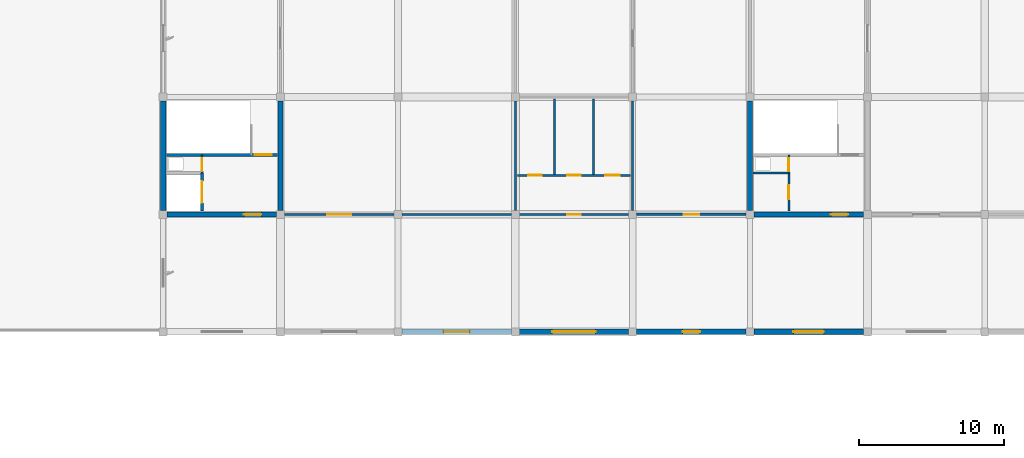
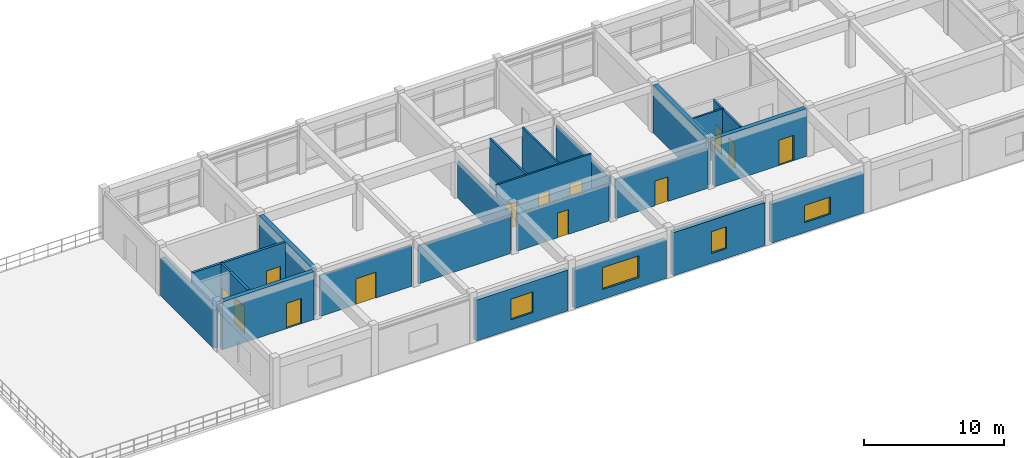
# One storey, part 25 of 40: 24 walls, 13 doors, 4 windows, 17 openings.
"""IFC4 building model written with IfcOpenShell, lengths in metres."""

from ifc_helpers import new_model, si_unit, direction, frame, frame_2d, origin, place, context, subcontext, project, spatial, rectangle, extrude, material, layer, layer_set, type_object, element, fill, save


model = new_model("IFC4")

# Units and contexts
model_context = context("Model", 3, precision=1e-05, world=origin(), true_north=direction((0.0, 1.0)))
body_context = subcontext(model_context, "Body", "Model", "MODEL_VIEW")
ifc_project = project(units=[si_unit("LENGTHUNIT", "METRE"), si_unit("AREAUNIT", "SQUARE_METRE"), si_unit("VOLUMEUNIT", "CUBIC_METRE"), si_unit("PLANEANGLEUNIT", "RADIAN"), si_unit("MASSUNIT", "GRAM", prefix="KILO")], contexts=[model_context])

# Site, building, storey
site_placement = place(None, origin())
site = spatial("IfcSite", under=ifc_project, at=site_placement, CompositionType="ELEMENT")
building_placement = place(site_placement, origin())
building = spatial("IfcBuilding", under=site, at=building_placement, Name="Vaudrelin Polytechnic", CompositionType="ELEMENT")
storey_placement = place(building_placement, frame((0.0, 0.0, 22.949951171875)))
storey = spatial("IfcBuildingStorey", under=building, at=storey_placement, Name="L05", CompositionType="ELEMENT", Elevation=22.949951171875)

# Wall
ifc_material_1 = material(Name="Precast concrete 35 MPa with standing-seam zinc rainscreen", Category="concrete")
ifc_layer_1 = layer(ifc_material_1, 0.360107421875)
ifc_layer_set_1 = layer_set([ifc_layer_1], Name="Precast concrete 35 MPa with standing-seam zinc rainscreen")
wall_type_1 = type_object("IfcWallType", Name="WAL-EW-ZINC360", PredefinedType="STANDARD", material=ifc_layer_set_1)
wall_1_placement = place(storey_placement, frame((16.199951171875, 105.572998046875, 0.0), z_axis=(0.0, 0.0, 1.0), x_axis=(0.0, 1.0, 0.0)))
element("IfcWall", 1, at=wall_1_placement, inside=storey, type_object=wall_type_1, Name="Exterior wall L05 W_V5_01", PredefinedType="STANDARD", context=body_context, shape_type="SweptSolid", body=[
    extrude(rectangle(XDim=7.553955078125, YDim=0.360107421875, at=frame_2d((3.77685546875, 0.0))), origin(), (0.0, 0.0, 1.0), 3.31201171875),
])

# Wall, opening, window
wall_2_placement = place(storey_placement, frame((32.673095703125, 97.199951171875, 0.0), z_axis=(0.0, 0.0, 1.0), x_axis=(1.0, 0.0, 0.0)))
wall_2 = element("IfcWall", 2, at=wall_2_placement, inside=storey, type_object=wall_type_1, Name="Exterior wall L05 S_V5_02", PredefinedType="STANDARD", context=body_context, shape_type="SweptSolid", body=[
    extrude(rectangle(XDim=7.553955078125, YDim=0.360107421875, at=frame_2d((3.77685546875, 0.0))), origin(), (0.0, 0.0, 1.0), 3.56201171875),
])
opening_1_placement = place(wall_2_placement, frame((2.876953125, 0.0, 0.85009765625)))
opening_1 = element("IfcOpeningElement", 3, at=opening_1_placement, cuts=wall_2, Name="Opening W-L05-S-V5-03", PredefinedType="OPENING", context=body_context, shape_type="SweptSolid", body=[
    extrude(rectangle(XDim=1.800048828125, YDim=1.800048828125, at=frame_2d((0.89990234375, 0.89990234375))), frame((0.0, 0.18994140625, 0.0), z_axis=(0.0, -1.0, 0.0), x_axis=(1.0, 0.0, 0.0)), (0.0, 0.0, 1.0), 0.380126953125),
])
ifc_material_2 = material(Name="Thermally broken aluminium frame with triple low-e glazing", Category="aluminium")
window_type_1 = type_object("IfcWindowType", Name="WIN-WN-02", PartitioningType="SINGLE_PANEL", PredefinedType="WINDOW", material=ifc_material_2)
window_1_placement = place(opening_1_placement, origin())
window_1 = element("IfcWindow", 4, at=window_1_placement, inside=storey, type_object=window_type_1, Name="Facade window L05-S_V5_02", OverallHeight=1.800048828125, OverallWidth=1.800048828125, PartitioningType="SINGLE_PANEL", PredefinedType="WINDOW", context=body_context, shape_type="SweptSolid", body=[
    extrude(rectangle(XDim=1.800048828125, YDim=1.800048828125, at=frame_2d((0.89990234375, 0.89990234375))), frame((0.0, 0.030029296875, 0.0), z_axis=(0.0, -1.0, 0.0), x_axis=(1.0, 0.0, 0.0)), (0.0, 0.0, 1.0), 0.06005859375),
])
fill(opening_1, window_1)

wall_3_placement = place(storey_placement, frame((40.77294921875, 97.199951171875, 0.0), z_axis=(0.0, 0.0, 1.0), x_axis=(1.0, 0.0, 0.0)))
wall_3 = element("IfcWall", 5, at=wall_3_placement, inside=storey, type_object=wall_type_1, Name="Exterior wall L05 S_V5_03", PredefinedType="STANDARD", context=body_context, shape_type="SweptSolid", body=[
    extrude(rectangle(XDim=7.553955078125, YDim=0.360107421875, at=frame_2d((3.77685546875, 0.0))), origin(), (0.0, 0.0, 1.0), 3.31201171875),
])
opening_2_placement = place(wall_3_placement, frame((2.277099609375, 0.0, 0.85009765625)))
opening_2 = element("IfcOpeningElement", 6, at=opening_2_placement, cuts=wall_3, Name="Opening W-L05-S-V5-04", PredefinedType="OPENING", context=body_context, shape_type="SweptSolid", body=[
    extrude(rectangle(XDim=3.0, YDim=1.89990234375, at=frame_2d((1.5, 0.949951171875))), frame((0.0, 0.18994140625, 0.0), z_axis=(0.0, -1.0, 0.0), x_axis=(1.0, 0.0, 0.0)), (0.0, 0.0, 1.0), 0.380126953125),
])
window_type_2 = type_object("IfcWindowType", Name="WIN-WN-03", PartitioningType="SINGLE_PANEL", PredefinedType="WINDOW", material=ifc_material_2)
window_2_placement = place(opening_2_placement, origin())
window_2 = element("IfcWindow", 7, at=window_2_placement, inside=storey, type_object=window_type_2, Name="Facade window L05-S_V5_03", OverallHeight=1.89990234375, OverallWidth=3.0, PartitioningType="SINGLE_PANEL", PredefinedType="WINDOW", context=body_context, shape_type="SweptSolid", body=[
    extrude(rectangle(XDim=3.0, YDim=1.89990234375, at=frame_2d((1.5, 0.949951171875))), frame((0.0, 0.030029296875, 0.0), z_axis=(0.0, -1.0, 0.0), x_axis=(1.0, 0.0, 0.0)), (0.0, 0.0, 1.0), 0.06005859375),
])
fill(opening_2, window_2)

wall_4_placement = place(storey_placement, frame((48.873046875, 97.199951171875, 0.0), z_axis=(0.0, 0.0, 1.0), x_axis=(1.0, 0.0, 0.0)))
wall_4 = element("IfcWall", 8, at=wall_4_placement, inside=storey, type_object=wall_type_1, Name="Exterior wall L05 S_V5_04", PredefinedType="STANDARD", context=body_context, shape_type="SweptSolid", body=[
    extrude(rectangle(XDim=7.553955078125, YDim=0.360107421875, at=frame_2d((3.77685546875, 0.0))), origin(), (0.0, 0.0, 1.0), 3.7470703125),
])
opening_3_placement = place(wall_4_placement, frame((3.177001953125, 0.0, 0.85009765625)))
opening_3 = element("IfcOpeningElement", 9, at=opening_3_placement, cuts=wall_4, Name="Opening W-L05-S-V5-05", PredefinedType="OPENING", context=body_context, shape_type="SweptSolid", body=[
    extrude(rectangle(XDim=1.199951171875, YDim=1.89990234375, at=frame_2d((0.60009765625, 0.949951171875))), frame((0.0, 0.18994140625, 0.0), z_axis=(0.0, -1.0, 0.0), x_axis=(1.0, 0.0, 0.0)), (0.0, 0.0, 1.0), 0.380126953125),
])
window_type_3 = type_object("IfcWindowType", Name="WIN-WN-04", PartitioningType="SINGLE_PANEL", PredefinedType="WINDOW", material=ifc_material_2)
window_3_placement = place(opening_3_placement, origin())
window_3 = element("IfcWindow", 10, at=window_3_placement, inside=storey, type_object=window_type_3, Name="Facade window L05-S_V5_04", OverallHeight=1.89990234375, OverallWidth=1.199951171875, PartitioningType="SINGLE_PANEL", PredefinedType="WINDOW", context=body_context, shape_type="SweptSolid", body=[
    extrude(rectangle(XDim=1.199951171875, YDim=1.89990234375, at=frame_2d((0.60009765625, 0.949951171875))), frame((0.0, 0.030029296875, 0.0), z_axis=(0.0, -1.0, 0.0), x_axis=(1.0, 0.0, 0.0)), (0.0, 0.0, 1.0), 0.06005859375),
])
fill(opening_3, window_3)

wall_5_placement = place(storey_placement, frame((56.972900390625, 97.199951171875, 0.0), z_axis=(0.0, 0.0, 1.0), x_axis=(1.0, 0.0, 0.0)))
wall_5 = element("IfcWall", 11, at=wall_5_placement, inside=storey, type_object=wall_type_1, Name="Exterior wall L05 S_V5_05", PredefinedType="STANDARD", context=body_context, shape_type="SweptSolid", body=[
    extrude(rectangle(XDim=7.55419921875, YDim=0.360107421875, at=frame_2d((3.777099609375, 0.0))), origin(), (0.0, 0.0, 1.0), 3.412109375),
])
opening_4_placement = place(wall_5_placement, frame((2.72705078125, 0.0, 0.85009765625)))
opening_4 = element("IfcOpeningElement", 12, at=opening_4_placement, cuts=wall_5, Name="Opening W-L05-S-V5-06", PredefinedType="OPENING", context=body_context, shape_type="SweptSolid", body=[
    extrude(rectangle(XDim=2.10009765625, YDim=1.5, at=frame_2d((1.050048828125, 0.75))), frame((0.0, 0.18994140625, 0.0), z_axis=(0.0, -1.0, 0.0), x_axis=(1.0, 0.0, 0.0)), (0.0, 0.0, 1.0), 0.380126953125),
])
window_type_4 = type_object("IfcWindowType", Name="WIN-WN-05", PartitioningType="SINGLE_PANEL", PredefinedType="WINDOW", material=ifc_material_2)
window_4_placement = place(opening_4_placement, origin())
window_4 = element("IfcWindow", 13, at=window_4_placement, inside=storey, type_object=window_type_4, Name="Facade window L05-S_V5_05", OverallHeight=1.5, OverallWidth=2.10009765625, PartitioningType="SINGLE_PANEL", PredefinedType="WINDOW", context=body_context, shape_type="SweptSolid", body=[
    extrude(rectangle(XDim=2.10009765625, YDim=1.5, at=frame_2d((1.050048828125, 0.75))), frame((0.0, 0.030029296875, 0.0), z_axis=(0.0, -1.0, 0.0), x_axis=(1.0, 0.0, 0.0)), (0.0, 0.0, 1.0), 0.06005859375),
])
fill(opening_4, window_4)

# Wall, opening, door
ifc_material_3 = material(Name="Acoustic double-stud gypsum & mineral-wool partition", Category="gypsum")
ifc_layer_2 = layer(ifc_material_3, 0.179931640625)
ifc_layer_set_2 = layer_set([ifc_layer_2], Name="Acoustic double-stud gypsum & mineral-wool partition")
wall_type_2 = type_object("IfcWallType", Name="WAL-PW-AC180", PredefinedType="PARTITIONING", material=ifc_layer_set_2)
wall_6_placement = place(storey_placement, frame((48.873046875, 105.300048828125, 0.0), z_axis=(0.0, 0.0, 1.0), x_axis=(1.0, 0.0, 0.0)))
wall_6 = element("IfcWall", 14, at=wall_6_placement, inside=storey, type_object=wall_type_2, Name="Partition L05-002 S", PredefinedType="PARTITIONING", context=body_context, shape_type="SweptSolid", body=[
    extrude(rectangle(XDim=7.553955078125, YDim=0.179931640625, at=frame_2d((3.77685546875, 0.0))), origin(), (0.0, 0.0, 1.0), 3.412109375),
])
opening_5_placement = place(wall_6_placement, frame((3.237060546875, 0.0, 0.0)))
opening_5 = element("IfcOpeningElement", 15, at=opening_5_placement, cuts=wall_6, Name="Opening D-L05-541", PredefinedType="OPENING", context=body_context, shape_type="SweptSolid", body=[
    extrude(rectangle(XDim=1.080078125, YDim=2.14990234375, at=frame_2d((0.5400390625, 1.074951171875))), frame((0.0, 0.10009765625, 0.0), z_axis=(0.0, -1.0, 0.0), x_axis=(1.0, 0.0, 0.0)), (0.0, 0.0, 1.0), 0.199951171875),
])
ifc_material_4 = material(Name="Solid-core birch veneer acoustic leaf", Category="wood")
door_type_1 = type_object("IfcDoorType", Name="DOR-ID-SEM2", OperationType="NOTDEFINED", PredefinedType="DOOR", material=ifc_material_4)
door_1_placement = place(opening_5_placement, origin())
door_1 = element("IfcDoor", 16, at=door_1_placement, inside=storey, type_object=door_type_1, Name="Industrial Design Pin-Up Room door L05-002", OperationType="SINGLE_SWING_RIGHT", OverallHeight=2.14990234375, OverallWidth=1.080078125, PredefinedType="DOOR", context=body_context, shape_type="SweptSolid", body=[
    extrude(rectangle(XDim=1.080078125, YDim=2.14990234375, at=frame_2d((0.5400390625, 1.074951171875))), frame((0.0, 0.02490234375, 0.0), z_axis=(0.0, -1.0, 0.0), x_axis=(1.0, 0.0, 0.0)), (0.0, 0.0, 1.0), 0.050048828125),
])
fill(opening_5, door_1)

ifc_material_5 = material(Name="Fire-rated steel-stud gypsum compartment wall", Category="steel")
ifc_layer_3 = layer(ifc_material_5, 0.14990234375)
ifc_layer_set_3 = layer_set([ifc_layer_3], Name="Fire-rated steel-stud gypsum compartment wall")
wall_type_3 = type_object("IfcWallType", Name="WAL-PW-FIRE60", PredefinedType="PARTITIONING", material=ifc_layer_set_3)
wall_7_placement = place(storey_placement, frame((18.8798828125, 108.14990234375, 0.0), z_axis=(0.0, 0.0, 1.0), x_axis=(0.0, 1.0, 0.0)))
wall_7 = element("IfcWall", 17, at=wall_7_placement, inside=storey, type_object=wall_type_3, Name="Core C1 riser enclosure wall L05", PredefinedType="PARTITIONING", context=body_context, shape_type="SweptSolid", body=[
    extrude(rectangle(XDim=1.260009765625, YDim=0.14990234375, at=frame_2d((0.6298828125, 0.0))), origin(), (0.0, 0.0, 1.0), 4.162109375),
])
opening_6_placement = place(wall_7_placement, frame((0.139892578125, 0.0, 0.0)))
opening_6 = element("IfcOpeningElement", 18, at=opening_6_placement, cuts=wall_7, Name="Opening D-L05-022", PredefinedType="OPENING", context=body_context, shape_type="SweptSolid", body=[
    extrude(rectangle(XDim=0.89990234375, YDim=2.14990234375, at=frame_2d((0.449951171875, 1.074951171875))), frame((0.0, 0.0849609375, 0.0), z_axis=(0.0, -1.0, 0.0), x_axis=(1.0, 0.0, 0.0)), (0.0, 0.0, 1.0), 0.169921875),
])
ifc_material_6 = material(Name="Pressed galvanised steel acoustic leaf", Category="steel")
door_type_2 = type_object("IfcDoorType", Name="DOR-ID-RSR1", OperationType="NOTDEFINED", PredefinedType="DOOR", material=ifc_material_6)
door_2_placement = place(opening_6_placement, origin())
door_2 = element("IfcDoor", 19, at=door_2_placement, inside=storey, type_object=door_type_2, Name="Core C1 riser access door L05", OperationType="SINGLE_SWING_RIGHT", OverallHeight=2.14990234375, OverallWidth=0.89990234375, PredefinedType="DOOR", context=body_context, shape_type="SweptSolid", body=[
    extrude(rectangle(XDim=0.89990234375, YDim=2.14990234375, at=frame_2d((0.449951171875, 1.074951171875))), frame((0.0, 0.02490234375, 0.0), z_axis=(0.0, -1.0, 0.0), x_axis=(1.0, 0.0, 0.0)), (0.0, 0.0, 1.0), 0.050048828125),
])
fill(opening_6, door_2)

wall_8_placement = place(storey_placement, frame((59.3798828125, 108.14990234375, 0.0), z_axis=(0.0, 0.0, 1.0), x_axis=(0.0, 1.0, 0.0)))
wall_8 = element("IfcWall", 20, at=wall_8_placement, inside=storey, type_object=wall_type_3, Name="Core C9 riser enclosure wall L05", PredefinedType="PARTITIONING", context=body_context, shape_type="SweptSolid", body=[
    extrude(rectangle(XDim=1.260009765625, YDim=0.14990234375, at=frame_2d((0.6298828125, 0.0))), origin(), (0.0, 0.0, 1.0), 4.162109375),
])
opening_7_placement = place(wall_8_placement, frame((0.139892578125, 0.0, 0.0)))
opening_7 = element("IfcOpeningElement", 21, at=opening_7_placement, cuts=wall_8, Name="Opening D-L05-201", PredefinedType="OPENING", context=body_context, shape_type="SweptSolid", body=[
    extrude(rectangle(XDim=0.89990234375, YDim=2.14990234375, at=frame_2d((0.449951171875, 1.074951171875))), frame((0.0, 0.0849609375, 0.0), z_axis=(0.0, -1.0, 0.0), x_axis=(1.0, 0.0, 0.0)), (0.0, 0.0, 1.0), 0.169921875),
])
door_3_placement = place(opening_7_placement, origin())
door_3 = element("IfcDoor", 22, at=door_3_placement, inside=storey, type_object=door_type_2, Name="Core C9 riser access door L05", OperationType="SINGLE_SWING_RIGHT", OverallHeight=2.14990234375, OverallWidth=0.89990234375, PredefinedType="DOOR", context=body_context, shape_type="SweptSolid", body=[
    extrude(rectangle(XDim=0.89990234375, YDim=2.14990234375, at=frame_2d((0.449951171875, 1.074951171875))), frame((0.0, 0.02490234375, 0.0), z_axis=(0.0, -1.0, 0.0), x_axis=(1.0, 0.0, 0.0)), (0.0, 0.0, 1.0), 0.050048828125),
])
fill(opening_7, door_3)

# Wall
wall_9_placement = place(storey_placement, frame((56.919921875, 108.14990234375, 0.0), z_axis=(0.0, 0.0, 1.0), x_axis=(1.0, 0.0, 0.0)))
element("IfcWall", 23, at=wall_9_placement, inside=storey, type_object=wall_type_3, Name="Core C9 riser south fire wall L05", PredefinedType="PARTITIONING", context=body_context, shape_type="SweptSolid", body=[
    extrude(rectangle(XDim=2.530029296875, YDim=0.14990234375, at=frame_2d((1.26513671875, 0.0))), origin(), (0.0, 0.0, 1.0), 4.162109375),
])

# Wall, opening, door
wall_10_placement = place(storey_placement, frame((59.3798828125, 105.550048828125, 0.0), z_axis=(0.0, 0.0, 1.0), x_axis=(0.0, 1.0, 0.0)))
wall_10 = element("IfcWall", 24, at=wall_10_placement, inside=storey, type_object=wall_type_3, Name="Core C9 custodial enclosure wall L05", PredefinedType="PARTITIONING", context=body_context, shape_type="SweptSolid", body=[
    extrude(rectangle(XDim=2.599853515625, YDim=0.14990234375, at=frame_2d((1.2998046875, 0.0))), origin(), (0.0, 0.0, 1.0), 4.162109375),
])
opening_8_placement = place(wall_10_placement, frame((0.800048828125, 0.0, 0.0)))
opening_8 = element("IfcOpeningElement", 25, at=opening_8_placement, cuts=wall_10, Name="Opening D-L05-202", PredefinedType="OPENING", context=body_context, shape_type="SweptSolid", body=[
    extrude(rectangle(XDim=0.949951171875, YDim=2.14990234375, at=frame_2d((0.47509765625, 1.074951171875))), frame((0.0, 0.0849609375, 0.0), z_axis=(0.0, -1.0, 0.0), x_axis=(1.0, 0.0, 0.0)), (0.0, 0.0, 1.0), 0.169921875),
])
door_type_3 = type_object("IfcDoorType", Name="DOR-ID-STR1", OperationType="NOTDEFINED", PredefinedType="DOOR", material=ifc_material_6)
door_4_placement = place(opening_8_placement, origin())
door_4 = element("IfcDoor", 26, at=door_4_placement, inside=storey, type_object=door_type_3, Name="Core C9 custodial door L05", OperationType="SINGLE_SWING_RIGHT", OverallHeight=2.14990234375, OverallWidth=0.949951171875, PredefinedType="DOOR", context=body_context, shape_type="SweptSolid", body=[
    extrude(rectangle(XDim=0.949951171875, YDim=2.14990234375, at=frame_2d((0.47509765625, 1.074951171875))), frame((0.0, 0.02490234375, 0.0), z_axis=(0.0, -1.0, 0.0), x_axis=(1.0, 0.0, 0.0)), (0.0, 0.0, 1.0), 0.050048828125),
])
fill(opening_8, door_4)

ifc_material_7 = material(Name="Pin-up plywood & acoustic gypsum studio partition", Category="wood")
ifc_layer_4 = layer(ifc_material_7, 0.14990234375)
ifc_layer_set_4 = layer_set([ifc_layer_4], Name="Pin-up plywood & acoustic gypsum studio partition")
wall_type_4 = type_object("IfcWallType", Name="WAL-PW-STU150", PredefinedType="PARTITIONING", material=ifc_layer_set_4)
wall_11_placement = place(storey_placement, frame((24.572998046875, 105.300048828125, 0.0), z_axis=(0.0, 0.0, 1.0), x_axis=(1.0, 0.0, 0.0)))
wall_11 = element("IfcWall", 27, at=wall_11_placement, inside=storey, type_object=wall_type_4, Name="Partition L05-001 S", PredefinedType="PARTITIONING", context=body_context, shape_type="SweptSolid", body=[
    extrude(rectangle(XDim=7.553955078125, YDim=0.14990234375, at=frame_2d((3.77685546875, 0.0))), origin(), (0.0, 0.0, 1.0), 3.56201171875),
])
opening_9_placement = place(wall_11_placement, frame((2.95703125, 0.0, 0.0)))
opening_9 = element("IfcOpeningElement", 28, at=opening_9_placement, cuts=wall_11, Name="Opening D-L05-540", PredefinedType="OPENING", context=body_context, shape_type="SweptSolid", body=[
    extrude(rectangle(XDim=1.639892578125, YDim=2.25, at=frame_2d((0.81982421875, 1.125))), frame((0.0, 0.0849609375, 0.0), z_axis=(0.0, -1.0, 0.0), x_axis=(1.0, 0.0, 0.0)), (0.0, 0.0, 1.0), 0.169921875),
])
door_type_4 = type_object("IfcDoorType", Name="DOR-ID-STU2", OperationType="NOTDEFINED", PredefinedType="DOOR", material=ifc_material_4)
door_5_placement = place(opening_9_placement, origin())
door_5 = element("IfcDoor", 29, at=door_5_placement, inside=storey, type_object=door_type_4, Name="Industrial Design Studio North door L05-001", OperationType="DOUBLE_SWING_LEFT", OverallHeight=2.25, OverallWidth=1.639892578125, PredefinedType="DOOR", context=body_context, shape_type="SweptSolid", body=[
    extrude(rectangle(XDim=1.639892578125, YDim=2.25, at=frame_2d((0.81982421875, 1.125))), frame((0.0, 0.02490234375, 0.0), z_axis=(0.0, -1.0, 0.0), x_axis=(1.0, 0.0, 0.0)), (0.0, 0.0, 1.0), 0.050048828125),
])
fill(opening_9, door_5)

# Wall
wall_12_placement = place(storey_placement, frame((32.673095703125, 105.300048828125, 0.0), z_axis=(0.0, 0.0, 1.0), x_axis=(1.0, 0.0, 0.0)))
element("IfcWall", 30, at=wall_12_placement, inside=storey, type_object=wall_type_4, Name="Partition L05-001 S", PredefinedType="PARTITIONING", context=body_context, shape_type="SweptSolid", body=[
    extrude(rectangle(XDim=7.553955078125, YDim=0.14990234375, at=frame_2d((3.77685546875, 0.0))), origin(), (0.0, 0.0, 1.0), 3.31201171875),
])

# Wall, opening, door
ifc_material_8 = material(Name="Cement-board tiled wet-wall washroom partition", Category="gypsum")
ifc_layer_5 = layer(ifc_material_8, 0.139892578125)
ifc_layer_set_5 = layer_set([ifc_layer_5], Name="Cement-board tiled wet-wall washroom partition")
wall_type_5 = type_object("IfcWallType", Name="WAL-PW-WC140", PredefinedType="PARTITIONING", material=ifc_layer_set_5)
wall_13_placement = place(storey_placement, frame((40.77294921875, 105.300048828125, 0.0), z_axis=(0.0, 0.0, 1.0), x_axis=(1.0, 0.0, 0.0)))
wall_13 = element("IfcWall", 31, at=wall_13_placement, inside=storey, type_object=wall_type_5, Name="Washroom enclosure wall L05-5-13-S", PredefinedType="PARTITIONING", context=body_context, shape_type="SweptSolid", body=[
    extrude(rectangle(XDim=7.553955078125, YDim=0.139892578125, at=frame_2d((3.77685546875, 0.0))), origin(), (0.0, 0.0, 1.0), 3.2099609375),
])
opening_10_placement = place(wall_13_placement, frame((3.31689453125, 0.0, 0.0)))
opening_10 = element("IfcOpeningElement", 32, at=opening_10_placement, cuts=wall_13, Name="Opening D-L05-377", PredefinedType="OPENING", context=body_context, shape_type="SweptSolid", body=[
    extrude(rectangle(XDim=0.919921875, YDim=2.14990234375, at=frame_2d((0.4599609375, 1.074951171875))), frame((0.0, 0.080078125, 0.0), z_axis=(0.0, -1.0, 0.0), x_axis=(1.0, 0.0, 0.0)), (0.0, 0.0, 1.0), 0.159912109375),
])
door_type_5 = type_object("IfcDoorType", Name="DOR-ID-WC1", OperationType="NOTDEFINED", PredefinedType="DOOR", material=ifc_material_4)
door_6_placement = place(opening_10_placement, origin())
door_6 = element("IfcDoor", 33, at=door_6_placement, inside=storey, type_object=door_type_5, Name="Washroom vestibule door L05-5-13-S", OperationType="SINGLE_SWING_LEFT", OverallHeight=2.14990234375, OverallWidth=0.919921875, PredefinedType="DOOR", context=body_context, shape_type="SweptSolid", body=[
    extrude(rectangle(XDim=0.919921875, YDim=2.14990234375, at=frame_2d((0.4599609375, 1.074951171875))), frame((0.0, 0.02490234375, 0.0), z_axis=(0.0, -1.0, 0.0), x_axis=(1.0, 0.0, 0.0)), (0.0, 0.0, 1.0), 0.050048828125),
])
fill(opening_10, door_6)

# Walls
wall_14_placement = place(storey_placement, frame((40.5, 105.572998046875, 0.0), z_axis=(0.0, 0.0, 1.0), x_axis=(0.0, 1.0, 0.0)))
element("IfcWall", 34, at=wall_14_placement, inside=storey, type_object=wall_type_5, Name="Washroom enclosure wall L05-5-13-W", PredefinedType="PARTITIONING", context=body_context, shape_type="SweptSolid", body=[
    extrude(rectangle(XDim=7.553955078125, YDim=0.139892578125, at=frame_2d((3.77685546875, 0.0))), origin(), (0.0, 0.0, 1.0), 3.2099609375),
])
wall_15_placement = place(storey_placement, frame((48.60009765625, 105.572998046875, 0.0), z_axis=(0.0, 0.0, 1.0), x_axis=(0.0, 1.0, 0.0)))
element("IfcWall", 35, at=wall_15_placement, inside=storey, type_object=wall_type_5, Name="Washroom enclosure wall L05-5-13-E", PredefinedType="PARTITIONING", context=body_context, shape_type="SweptSolid", body=[
    extrude(rectangle(XDim=7.553955078125, YDim=0.139892578125, at=frame_2d((3.77685546875, 0.0))), origin(), (0.0, 0.0, 1.0), 3.510009765625),
])

# Wall, openings, doors
wall_16_placement = place(storey_placement, frame((40.64990234375, 108.0, 0.0), z_axis=(0.0, 0.0, 1.0), x_axis=(1.0, 0.0, 0.0)))
wall_16 = element("IfcWall", 36, at=wall_16_placement, inside=storey, type_object=wall_type_5, Name="Washroom vestibule divider L05-5-13", PredefinedType="PARTITIONING", context=body_context, shape_type="SweptSolid", body=[
    extrude(rectangle(XDim=7.800048828125, YDim=0.139892578125, at=frame_2d((3.89990234375, 0.0))), origin(), (0.0, 0.0, 1.0), 4.162109375),
])
opening_11_placement = place(wall_16_placement, frame((0.75, 0.0, 0.0)))
opening_11 = element("IfcOpeningElement", 37, at=opening_11_placement, cuts=wall_16, Name="Opening D-L05-378", PredefinedType="OPENING", context=body_context, shape_type="SweptSolid", body=[
    extrude(rectangle(XDim=0.919921875, YDim=2.14990234375, at=frame_2d((0.4599609375, 1.074951171875))), frame((0.0, 0.080078125, 0.0), z_axis=(0.0, -1.0, 0.0), x_axis=(1.0, 0.0, 0.0)), (0.0, 0.0, 1.0), 0.159912109375),
])
opening_12_placement = place(wall_16_placement, frame((3.43994140625, 0.0, 0.0)))
opening_12 = element("IfcOpeningElement", 38, at=opening_12_placement, cuts=wall_16, Name="Opening D-L05-379", PredefinedType="OPENING", context=body_context, shape_type="SweptSolid", body=[
    extrude(rectangle(XDim=0.919921875, YDim=2.14990234375, at=frame_2d((0.4599609375, 1.074951171875))), frame((0.0, 0.080078125, 0.0), z_axis=(0.0, -1.0, 0.0), x_axis=(1.0, 0.0, 0.0)), (0.0, 0.0, 1.0), 0.159912109375),
])
opening_13_placement = place(wall_16_placement, frame((6.050048828125, 0.0, 0.0)))
opening_13 = element("IfcOpeningElement", 39, at=opening_13_placement, cuts=wall_16, Name="Opening D-L05-380", PredefinedType="OPENING", context=body_context, shape_type="SweptSolid", body=[
    extrude(rectangle(XDim=1.0, YDim=2.14990234375, at=frame_2d((0.5, 1.074951171875))), frame((0.0, 0.080078125, 0.0), z_axis=(0.0, -1.0, 0.0), x_axis=(1.0, 0.0, 0.0)), (0.0, 0.0, 1.0), 0.159912109375),
])
door_type_6 = type_object("IfcDoorType", Name="DOR-ID-AWC1", OperationType="NOTDEFINED", PredefinedType="DOOR", material=ifc_material_4)
door_7_placement = place(opening_13_placement, origin())
door_7 = element("IfcDoor", 40, at=door_7_placement, inside=storey, type_object=door_type_6, Name="Washroom stall-room door L05-5-13-3", OperationType="SINGLE_SWING_LEFT", OverallHeight=2.14990234375, OverallWidth=1.0, PredefinedType="DOOR", context=body_context, shape_type="SweptSolid", body=[
    extrude(rectangle(XDim=1.0, YDim=2.14990234375, at=frame_2d((0.5, 1.074951171875))), frame((0.0, 0.02490234375, 0.0), z_axis=(0.0, -1.0, 0.0), x_axis=(1.0, 0.0, 0.0)), (0.0, 0.0, 1.0), 0.050048828125),
])
fill(opening_13, door_7)
door_8_placement = place(opening_11_placement, origin())
door_8 = element("IfcDoor", 41, at=door_8_placement, inside=storey, type_object=door_type_5, Name="Washroom stall-room door L05-5-13-1", OperationType="SINGLE_SWING_LEFT", OverallHeight=2.14990234375, OverallWidth=0.919921875, PredefinedType="DOOR", context=body_context, shape_type="SweptSolid", body=[
    extrude(rectangle(XDim=0.919921875, YDim=2.14990234375, at=frame_2d((0.4599609375, 1.074951171875))), frame((0.0, 0.02490234375, 0.0), z_axis=(0.0, -1.0, 0.0), x_axis=(1.0, 0.0, 0.0)), (0.0, 0.0, 1.0), 0.050048828125),
])
fill(opening_11, door_8)
door_9_placement = place(opening_12_placement, origin())
door_9 = element("IfcDoor", 42, at=door_9_placement, inside=storey, type_object=door_type_5, Name="Washroom stall-room door L05-5-13-2", OperationType="SINGLE_SWING_RIGHT", OverallHeight=2.14990234375, OverallWidth=0.919921875, PredefinedType="DOOR", context=body_context, shape_type="SweptSolid", body=[
    extrude(rectangle(XDim=0.919921875, YDim=2.14990234375, at=frame_2d((0.4599609375, 1.074951171875))), frame((0.0, 0.02490234375, 0.0), z_axis=(0.0, -1.0, 0.0), x_axis=(1.0, 0.0, 0.0)), (0.0, 0.0, 1.0), 0.050048828125),
])
fill(opening_12, door_9)

# Walls
for number, where, z_axis, x_axis, name in (
    (43, (43.199951171875, 108.070068359375, 0.0), (0.0, 0.0, 1.0), (0.0, 1.0, 0.0), "Washroom separation wall L05-5-13-1"),
    (44, (45.89990234375, 108.070068359375, 0.0), (0.0, 0.0, 1.0), (0.0, 1.0, 0.0), "Washroom separation wall L05-5-13-2"),
):
    element("IfcWall", number, at=place(storey_placement, frame(where, z_axis=z_axis, x_axis=x_axis)), inside=storey, type_object=wall_type_5, Name=name, PredefinedType="PARTITIONING", context=body_context, shape_type="SweptSolid", body=[
        extrude(rectangle(XDim=5.179931640625, YDim=0.139892578125, at=frame_2d((2.58984375, 0.0))), origin(), (0.0, 0.0, 1.0), 4.162109375),
    ])

# Wall, opening, door
ifc_material_9 = material(Name="Concrete 40 MPa", Category="concrete")
ifc_layer_6 = layer(ifc_material_9, 0.199951171875)
ifc_layer_set_6 = layer_set([ifc_layer_6], Name="Concrete 40 MPa")
wall_type_6 = type_object("IfcWallType", Name="WAL-SW-CORE200", PredefinedType="SHEAR", material=ifc_layer_set_6)
wall_17_placement = place(storey_placement, frame((16.419921875, 109.409912109375, 0.0), z_axis=(0.0, 0.0, 1.0), x_axis=(1.0, 0.0, 0.0)))
wall_17 = element("IfcWall", 45, at=wall_17_placement, inside=storey, type_object=wall_type_6, Name="Core C1 stair enclosure wall L05", PredefinedType="SHEAR", context=body_context, shape_type="SweptSolid", body=[
    extrude(rectangle(XDim=7.66015625, YDim=0.199951171875, at=frame_2d((3.830078125, 0.0))), origin(), (0.0, 0.0, 1.0), 4.162109375),
])
opening_14_placement = place(wall_17_placement, frame((6.110107421875, 0.0, 0.0)))
opening_14 = element("IfcOpeningElement", 46, at=opening_14_placement, cuts=wall_17, Name="Opening D-L05-021", PredefinedType="OPENING", context=body_context, shape_type="SweptSolid", body=[
    extrude(rectangle(XDim=1.14990234375, YDim=2.199951171875, at=frame_2d((0.574951171875, 1.10009765625))), frame((0.0, 0.10986328125, 0.0), z_axis=(0.0, -1.0, 0.0), x_axis=(1.0, 0.0, 0.0)), (0.0, 0.0, 1.0), 0.219970703125),
])
door_type_7 = type_object("IfcDoorType", Name="DOR-ID-ST1", OperationType="NOTDEFINED", PredefinedType="DOOR", material=ifc_material_6)
door_10_placement = place(opening_14_placement, origin())
door_10 = element("IfcDoor", 47, at=door_10_placement, inside=storey, type_object=door_type_7, Name="Core C1 exit stair door L05", OperationType="SINGLE_SWING_LEFT", OverallHeight=2.199951171875, OverallWidth=1.14990234375, PredefinedType="DOOR", context=body_context, shape_type="SweptSolid", body=[
    extrude(rectangle(XDim=1.14990234375, YDim=2.199951171875, at=frame_2d((0.574951171875, 1.10009765625))), frame((0.0, 0.02490234375, 0.0), z_axis=(0.0, -1.0, 0.0), x_axis=(1.0, 0.0, 0.0)), (0.0, 0.0, 1.0), 0.050048828125),
])
fill(opening_14, door_10)

wall_18_placement = place(storey_placement, frame((18.8798828125, 105.550048828125, 0.0), z_axis=(0.0, 0.0, 1.0), x_axis=(0.0, 1.0, 0.0)))
wall_18 = element("IfcWall", 48, at=wall_18_placement, inside=storey, type_object=wall_type_6, Name="Lift LF-01 shaft front wall L05", PredefinedType="SHEAR", context=body_context, shape_type="SweptSolid", body=[
    extrude(rectangle(XDim=2.599853515625, YDim=0.199951171875, at=frame_2d((1.2998046875, 0.0))), origin(), (0.0, 0.0, 1.0), 4.162109375),
])
opening_15_placement = place(wall_18_placement, frame((0.550048828125, 0.0, 0.0)))
opening_15 = element("IfcOpeningElement", 49, at=opening_15_placement, cuts=wall_18, Name="Opening LD-LF-01-L05", PredefinedType="OPENING", context=body_context, shape_type="SweptSolid", body=[
    extrude(rectangle(XDim=1.5, YDim=2.300048828125, at=frame_2d((0.75, 1.14990234375))), frame((0.0, 0.10986328125, 0.0), z_axis=(0.0, -1.0, 0.0), x_axis=(1.0, 0.0, 0.0)), (0.0, 0.0, 1.0), 0.219970703125),
])
ifc_material_10 = material(Name="Brushed stainless steel AISI 304", Category="steel")
door_type_8 = type_object("IfcDoorType", Name="DOR-LD-FRT", OperationType="SLIDING_TO_LEFT", PredefinedType="DOOR", material=ifc_material_10)
door_11_placement = place(opening_15_placement, origin())
door_11 = element("IfcDoor", 50, at=door_11_placement, inside=storey, type_object=door_type_8, Name="Lift LF-01 landing door L05", OperationType="SLIDING_TO_LEFT", OverallHeight=2.300048828125, OverallWidth=1.5, PredefinedType="DOOR", context=body_context, shape_type="SweptSolid", body=[
    extrude(rectangle(XDim=1.5, YDim=2.300048828125, at=frame_2d((0.75, 1.14990234375))), frame((0.0, 0.02490234375, 0.0), z_axis=(0.0, -1.0, 0.0), x_axis=(1.0, 0.0, 0.0)), (0.0, 0.0, 1.0), 0.050048828125),
])
fill(opening_15, door_11)

# Wall
ifc_material_11 = material(Name="Concrete 50 MPa", Category="concrete")
ifc_layer_7 = layer(ifc_material_11, 0.35009765625)
ifc_layer_set_7 = layer_set([ifc_layer_7], Name="Concrete 50 MPa")
wall_type_7 = type_object("IfcWallType", Name="WAL-SW-CORE350", PredefinedType="SHEAR", material=ifc_layer_set_7)
wall_19_placement = place(storey_placement, frame((24.300048828125, 105.572998046875, 0.0), z_axis=(0.0, 0.0, 1.0), x_axis=(0.0, 1.0, 0.0)))
element("IfcWall", 51, at=wall_19_placement, inside=storey, type_object=wall_type_7, Name="Core C1 E shear wall L05", PredefinedType="SHEAR", context=body_context, shape_type="SweptSolid", body=[
    extrude(rectangle(XDim=7.553955078125, YDim=0.35009765625, at=frame_2d((3.77685546875, 0.0))), origin(), (0.0, 0.0, 1.0), 4.162109375),
])

# Wall, opening, door
wall_20_placement = place(storey_placement, frame((16.472900390625, 105.300048828125, 0.0), z_axis=(0.0, 0.0, 1.0), x_axis=(1.0, 0.0, 0.0)))
wall_20 = element("IfcWall", 52, at=wall_20_placement, inside=storey, type_object=wall_type_7, Name="Core C1 S shear wall L05", PredefinedType="SHEAR", context=body_context, shape_type="SweptSolid", body=[
    extrude(rectangle(XDim=7.55419921875, YDim=0.35009765625, at=frame_2d((3.777099609375, 0.0))), origin(), (0.0, 0.0, 1.0), 4.162109375),
])
opening_16_placement = place(wall_20_placement, frame((5.303955078125, 0.0, 0.0)))
opening_16 = element("IfcOpeningElement", 53, at=opening_16_placement, cuts=wall_20, Name="Opening D-L05-020", PredefinedType="OPENING", context=body_context, shape_type="SweptSolid", body=[
    extrude(rectangle(XDim=1.199951171875, YDim=2.199951171875, at=frame_2d((0.60009765625, 1.10009765625))), frame((0.0, 0.18505859375, 0.0), z_axis=(0.0, -1.0, 0.0), x_axis=(1.0, 0.0, 0.0)), (0.0, 0.0, 1.0), 0.3701171875),
])
door_type_9 = type_object("IfcDoorType", Name="DOR-ID-LB1", OperationType="NOTDEFINED", PredefinedType="DOOR", material=ifc_material_6)
door_12_placement = place(opening_16_placement, origin())
door_12 = element("IfcDoor", 54, at=door_12_placement, inside=storey, type_object=door_type_9, Name="Core C1 lobby fire door L05", OperationType="SINGLE_SWING_LEFT", OverallHeight=2.199951171875, OverallWidth=1.199951171875, PredefinedType="DOOR", context=body_context, shape_type="SweptSolid", body=[
    extrude(rectangle(XDim=1.199951171875, YDim=2.199951171875, at=frame_2d((0.60009765625, 1.10009765625))), frame((0.0, 0.02490234375, 0.0), z_axis=(0.0, -1.0, 0.0), x_axis=(1.0, 0.0, 0.0)), (0.0, 0.0, 1.0), 0.050048828125),
])
fill(opening_16, door_12)

# Wall
wall_21_placement = place(storey_placement, frame((56.699951171875, 105.572998046875, 0.0), z_axis=(0.0, 0.0, 1.0), x_axis=(0.0, 1.0, 0.0)))
element("IfcWall", 55, at=wall_21_placement, inside=storey, type_object=wall_type_7, Name="Core C9 W shear wall L05", PredefinedType="SHEAR", context=body_context, shape_type="SweptSolid", body=[
    extrude(rectangle(XDim=7.553955078125, YDim=0.35009765625, at=frame_2d((3.77685546875, 0.0))), origin(), (0.0, 0.0, 1.0), 4.162109375),
])

# Wall, opening, door
wall_22_placement = place(storey_placement, frame((56.972900390625, 105.300048828125, 0.0), z_axis=(0.0, 0.0, 1.0), x_axis=(1.0, 0.0, 0.0)))
wall_22 = element("IfcWall", 56, at=wall_22_placement, inside=storey, type_object=wall_type_7, Name="Core C9 S shear wall L05", PredefinedType="SHEAR", context=body_context, shape_type="SweptSolid", body=[
    extrude(rectangle(XDim=7.55419921875, YDim=0.35009765625, at=frame_2d((3.777099609375, 0.0))), origin(), (0.0, 0.0, 1.0), 4.162109375),
])
opening_17_placement = place(wall_22_placement, frame((5.303955078125, 0.0, 0.0)))
opening_17 = element("IfcOpeningElement", 57, at=opening_17_placement, cuts=wall_22, Name="Opening D-L05-199", PredefinedType="OPENING", context=body_context, shape_type="SweptSolid", body=[
    extrude(rectangle(XDim=1.199951171875, YDim=2.199951171875, at=frame_2d((0.60009765625, 1.10009765625))), frame((0.0, 0.18505859375, 0.0), z_axis=(0.0, -1.0, 0.0), x_axis=(1.0, 0.0, 0.0)), (0.0, 0.0, 1.0), 0.3701171875),
])
door_13_placement = place(opening_17_placement, origin())
door_13 = element("IfcDoor", 58, at=door_13_placement, inside=storey, type_object=door_type_9, Name="Core C9 lobby fire door L05", OperationType="SINGLE_SWING_RIGHT", OverallHeight=2.199951171875, OverallWidth=1.199951171875, PredefinedType="DOOR", context=body_context, shape_type="SweptSolid", body=[
    extrude(rectangle(XDim=1.199951171875, YDim=2.199951171875, at=frame_2d((0.60009765625, 1.10009765625))), frame((0.0, 0.02490234375, 0.0), z_axis=(0.0, -1.0, 0.0), x_axis=(1.0, 0.0, 0.0)), (0.0, 0.0, 1.0), 0.050048828125),
])
fill(opening_17, door_13)

save(model, "model.ifc")
